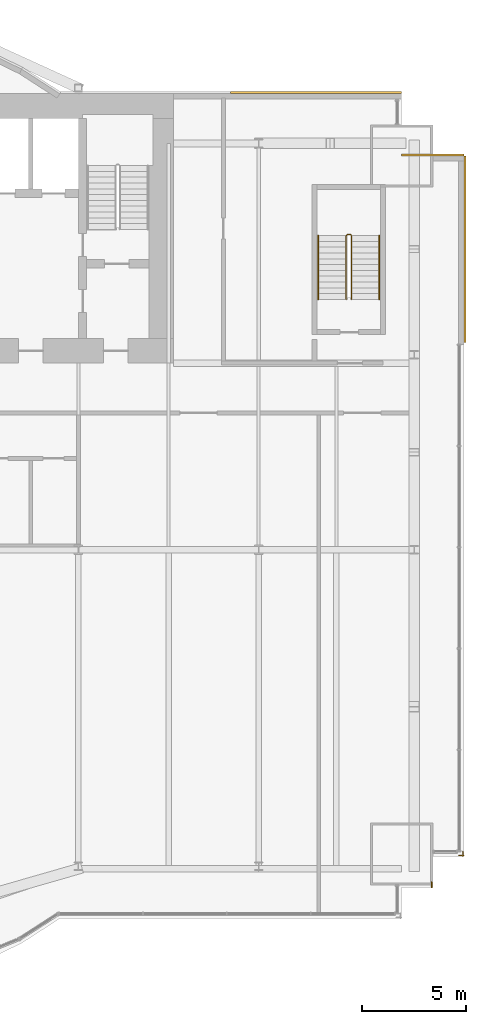
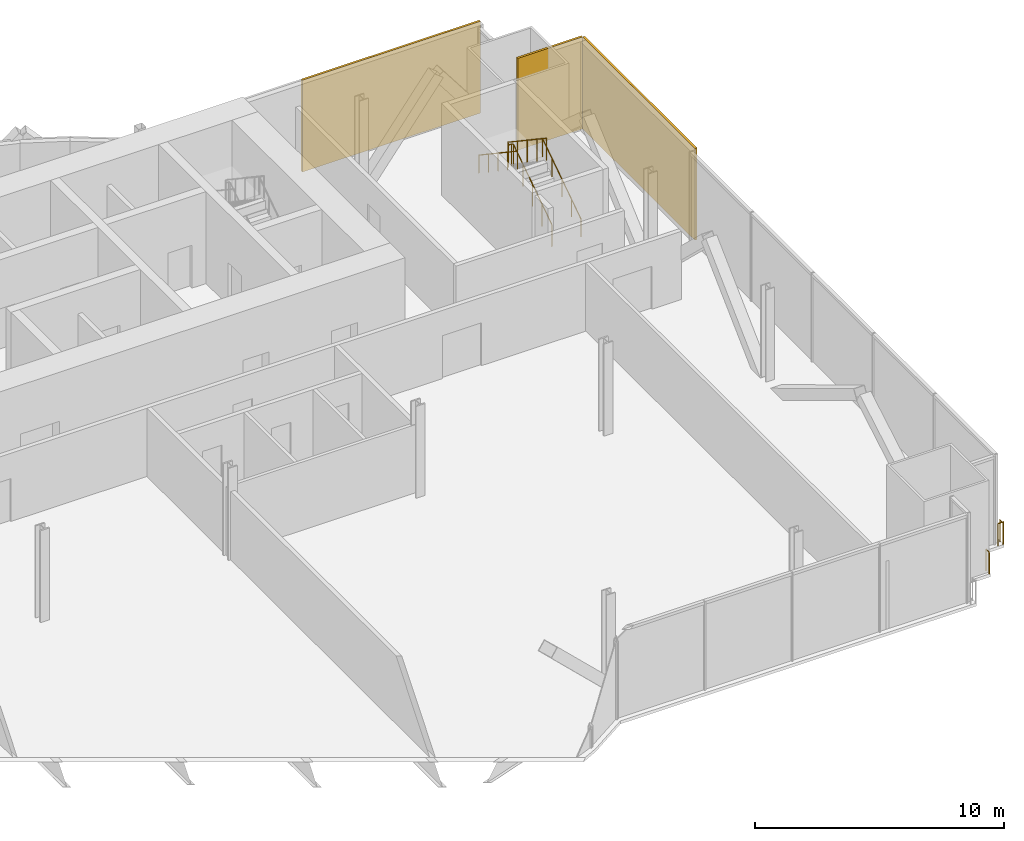
# One storey, part 21 of 21: 5 railings, 3 coverings.
"""IFC4 building model written with IfcOpenShell, lengths in metres."""

from ifc_helpers import new_model, si_unit, direction, frame, origin, origin_2d, place, context, subcontext, project, spatial, rectangle, circle, extrude, material, layer, layer_set, type_object, element, save


model = new_model("IFC4")

# Units and contexts
model_context = context("Model", 3, precision=1e-05, world=origin(), true_north=direction((0.0, 1.0)))
body_context = subcontext(model_context, "Body", "Model", "MODEL_VIEW")
ifc_project = project(units=[si_unit("LENGTHUNIT", "METRE"), si_unit("AREAUNIT", "SQUARE_METRE"), si_unit("VOLUMEUNIT", "CUBIC_METRE"), si_unit("PLANEANGLEUNIT", "RADIAN"), si_unit("MASSUNIT", "GRAM", prefix="KILO")], contexts=[model_context])

# Site, building, storey
site_placement = place(None, origin())
site = spatial("IfcSite", under=ifc_project, at=site_placement, CompositionType="ELEMENT")
building_placement = place(site_placement, origin())
building = spatial("IfcBuilding", under=site, at=building_placement, Name="Bicima Exchange Tower", CompositionType="ELEMENT")
storey_placement = place(building_placement, frame((0.0, 0.0, 75.5)))
storey = spatial("IfcBuildingStorey", under=building, at=storey_placement, Name="L15", CompositionType="ELEMENT", Elevation=75.5)

# Coverings
ifc_material_1 = material(Name="Bronze metal cladding")
ifc_layer_1 = layer(ifc_material_1, 0.004)
ifc_material_2 = material(Name="Ventilated cavity")
ifc_layer_2 = layer(ifc_material_2, 0.06)
ifc_material_3 = material(Name="Galvanised steel rail and mineral wool", Category="steel")
ifc_layer_3 = layer(ifc_material_3, 0.036)
ifc_layer_set = layer_set([ifc_layer_1, ifc_layer_2, ifc_layer_3], Name="Ventilated cavity")
covering_type = type_object("IfcCoveringType", Name="Bronze metal cladding panel 100", PredefinedType="CLADDING", material=ifc_layer_set)
covering_1_placement = place(storey_placement, frame((28.875, 0.050048828125, -0.14990234375), z_axis=(0.0, 0.0, 1.0), x_axis=(-1.0, 0.0, 0.0)))
element("IfcCovering", 1, at=covering_1_placement, inside=storey, type_object=covering_type, Name="Bronze cladding L15 1.1", PredefinedType="CLADDING", context=body_context, shape_type="SweptSolid", body=[
    extrude(rectangle(XDim=8.25, YDim=0.10009765625, at=origin_2d()), origin(), (0.0, 0.0, 1.0), 4.5),
])
covering_2_placement = place(storey_placement, frame((36.050048828125, -7.5, -0.14990234375), z_axis=(0.0, 0.0, 1.0), x_axis=(0.0, 1.0, 0.0)))
element("IfcCovering", 2, at=covering_2_placement, inside=storey, type_object=covering_type, Name="Bronze cladding L15 50.1", PredefinedType="CLADDING", context=body_context, shape_type="SweptSolid", body=[
    extrude(rectangle(XDim=9.0, YDim=0.10009765625, at=origin_2d()), origin(), (0.0, 0.0, 1.0), 4.5),
])
covering_3_placement = place(storey_placement, frame((34.5, -2.949951171875, -0.14990234375), z_axis=(0.0, 0.0, 1.0), x_axis=(-1.0, 0.0, 0.0)))
element("IfcCovering", 3, at=covering_3_placement, inside=storey, type_object=covering_type, Name="Bronze cladding L15 51.1", PredefinedType="CLADDING", context=body_context, shape_type="SweptSolid", body=[
    extrude(rectangle(XDim=3.0, YDim=0.10009765625, at=origin_2d()), origin(), (0.0, 0.0, 1.0), 4.5),
])

# Railings
ifc_material_4 = material(Name="Stainless steel and bonded safety glass", Category="steel")
railing_type_1 = type_object("IfcRailingType", Name="Edge guard 1100", PredefinedType="GUARDRAIL", material=ifc_material_4)
railing_1_placement = place(storey_placement, frame((35.949951171875, -36.554931640625, 0.0)))
element("IfcRailing", 4, at=railing_1_placement, inside=storey, type_object=railing_type_1, Name="Edge guard L15 70", PredefinedType="GUARDRAIL", context=body_context, shape_type="SweptSolid", body=[
    extrude(circle(Radius=0.02392578125, at=origin_2d()), frame((0.0, 0.0, 1.076171875), z_axis=(0.0, -1.0, 0.0), x_axis=(1.0, 0.0, 0.0)), (0.0, 0.0, 1.0), 0.2490234375),
    extrude(circle(Radius=0.02392578125, at=origin_2d()), frame((0.0, -0.2490234375, 1.076171875), z_axis=(0.707106781187, 0.707106781187, 0.0), x_axis=(-0.707106781187, 0.707106781187, 0.0)), (0.0, 0.0, 1.0), 0.07080078125),
    extrude(circle(Radius=0.02392578125, at=origin_2d()), frame((0.050048828125, -0.198974609375, 1.076171875), z_axis=(-1.0, 0.0, 0.0), x_axis=(0.0, -1.0, 0.0)), (0.0, 0.0, 1.0), 0.25),
    extrude(circle(Radius=0.02099609375, at=origin_2d()), origin(), (0.0, 0.0, 1.0), 1.052001953125),
    extrude(circle(Radius=0.02099609375, at=origin_2d()), frame((0.0, -0.2490234375, 0.0)), (0.0, 0.0, 1.0), 1.052001953125),
    extrude(circle(Radius=0.02099609375, at=origin_2d()), frame((0.050048828125, -0.198974609375, 0.0)), (0.0, 0.0, 1.0), 1.052001953125),
    extrude(circle(Radius=0.02099609375, at=origin_2d()), frame((-0.199951171875, -0.198974609375, 0.0)), (0.0, 0.0, 1.0), 1.052001953125),
])
railing_2_placement = place(storey_placement, frame((34.449951171875, -38.053955078125, 0.0)))
element("IfcRailing", 5, at=railing_2_placement, inside=storey, type_object=railing_type_1, Name="Edge guard L15 71", PredefinedType="GUARDRAIL", context=body_context, shape_type="SweptSolid", body=[
    extrude(circle(Radius=0.02392578125, at=origin_2d()), frame((0.0, 0.0, 1.076171875), z_axis=(0.0, -1.0, 0.0), x_axis=(1.0, 0.0, 0.0)), (0.0, 0.0, 1.0), 0.25),
    extrude(circle(Radius=0.02099609375, at=origin_2d()), origin(), (0.0, 0.0, 1.0), 1.052001953125),
    extrude(circle(Radius=0.02099609375, at=origin_2d()), frame((0.0, -0.25, 0.0)), (0.0, 0.0, 1.0), 1.052001953125),
])
ifc_material_5 = material(Name="Stainless steel", Category="steel")
railing_type_2 = type_object("IfcRailingType", Name="Stair guard 1100", PredefinedType="GUARDRAIL", material=ifc_material_5)
railing_3_placement = place(storey_placement, frame((30.574951171875, -9.925048828125, 0.1875)))
element("IfcRailing", 6, at=railing_3_placement, inside=storey, type_object=railing_type_2, Name="L15 ST-EE stair guard 1", PredefinedType="GUARDRAIL", context=body_context, shape_type="SweptSolid", body=[
    extrude(circle(Radius=0.02392578125, at=origin_2d()), frame((0.0, 0.0, 1.076171875), z_axis=(0.0, 0.830913701846, 0.55640131208), x_axis=(-1.0, 0.0, 0.0)), (0.0, 0.0, 1.0), 3.706787109375),
    extrude(circle(Radius=0.02392578125, at=origin_2d()), frame((0.0, 3.080078125, 3.138671875), z_axis=(-0.707106781187, 0.707106781187, 0.0), x_axis=(-0.707106781187, -0.707106781187, 0.0)), (0.0, 0.0, 1.0), 0.07080078125),
    extrude(circle(Radius=0.02392578125, at=origin_2d()), frame((-0.050048828125, 3.130126953125, 3.138671875), z_axis=(-1.0, 0.0, 0.0), x_axis=(0.0, -1.0, 0.0)), (0.0, 0.0, 1.0), 0.14990234375),
    extrude(circle(Radius=0.02392578125, at=origin_2d()), frame((-0.199951171875, 3.130126953125, 3.138671875), z_axis=(-0.249726431254, -0.249726431254, 0.935560483917), x_axis=(0.707106781187, -0.707106781187, 0.0)), (0.0, 0.0, 1.0), 0.200439453125),
    extrude(circle(Radius=0.02392578125, at=origin_2d()), frame((-0.25, 3.080078125, 3.326171875), z_axis=(0.0, -0.830913701846, 0.55640131208), x_axis=(1.0, 0.0, 0.0)), (0.0, 0.0, 1.0), 3.706787109375),
    extrude(circle(Radius=0.02099609375, at=origin_2d()), origin(), (0.0, 0.0, 1.0), 1.052001953125),
    extrude(circle(Radius=0.02099609375, at=origin_2d()), frame((0.0, 0.77001953125, 0.515625)), (0.0, 0.0, 1.0), 1.052001953125),
    extrude(circle(Radius=0.02099609375, at=origin_2d()), frame((0.0, 1.5400390625, 1.03125)), (0.0, 0.0, 1.0), 1.052001953125),
    extrude(circle(Radius=0.02099609375, at=origin_2d()), frame((0.0, 2.31005859375, 1.546875)), (0.0, 0.0, 1.0), 1.052001953125),
    extrude(circle(Radius=0.02099609375, at=origin_2d()), frame((0.0, 3.080078125, 2.0625)), (0.0, 0.0, 1.0), 1.052001953125),
    extrude(circle(Radius=0.02099609375, at=origin_2d()), frame((-0.050048828125, 3.130126953125, 2.0625)), (0.0, 0.0, 1.0), 1.052001953125),
    extrude(circle(Radius=0.02099609375, at=origin_2d()), frame((-0.199951171875, 3.130126953125, 2.0625)), (0.0, 0.0, 1.0), 1.052001953125),
    extrude(circle(Radius=0.02099609375, at=origin_2d()), frame((-0.25, 3.080078125, 2.25)), (0.0, 0.0, 1.0), 1.052001953125),
    extrude(circle(Radius=0.02099609375, at=origin_2d()), frame((-0.25, 2.31005859375, 2.765625)), (0.0, 0.0, 1.0), 1.052001953125),
    extrude(circle(Radius=0.02099609375, at=origin_2d()), frame((-0.25, 1.5400390625, 3.28125)), (0.0, 0.0, 1.0), 1.052001953125),
    extrude(circle(Radius=0.02099609375, at=origin_2d()), frame((-0.25, 0.77001953125, 3.796875)), (0.0, 0.0, 1.0), 1.052001953125),
    extrude(circle(Radius=0.02099609375, at=origin_2d()), frame((-0.25, 0.0, 4.3125)), (0.0, 0.0, 1.0), 1.052001953125),
])
railing_type_3 = type_object("IfcRailingType", Name="Stair handrail 900", PredefinedType="HANDRAIL", material=ifc_material_5)
railing_4_placement = place(storey_placement, frame((31.925048828125, -9.925048828125, 0.1875)))
element("IfcRailing", 7, at=railing_4_placement, inside=storey, type_object=railing_type_3, Name="L15 ST-EE stair handrail 1", PredefinedType="HANDRAIL", context=body_context, shape_type="SweptSolid", body=[
    extrude(circle(Radius=0.02392578125, at=origin_2d()), frame((0.0, 0.0, 0.8759765625), z_axis=(0.0, 0.830913701846, 0.55640131208), x_axis=(-1.0, 0.0, 0.0)), (0.0, 0.0, 1.0), 3.706787109375),
    extrude(circle(Radius=0.02099609375, at=origin_2d()), origin(), (0.0, 0.0, 1.0), 0.851806640625),
    extrude(circle(Radius=0.02099609375, at=origin_2d()), frame((0.0, 0.77001953125, 0.515625)), (0.0, 0.0, 1.0), 0.851806640625),
    extrude(circle(Radius=0.02099609375, at=origin_2d()), frame((0.0, 1.5400390625, 1.03125)), (0.0, 0.0, 1.0), 0.851806640625),
    extrude(circle(Radius=0.02099609375, at=origin_2d()), frame((0.0, 2.31005859375, 1.546875)), (0.0, 0.0, 1.0), 0.851806640625),
    extrude(circle(Radius=0.02099609375, at=origin_2d()), frame((0.0, 3.080078125, 2.0625)), (0.0, 0.0, 1.0), 0.851806640625),
])
railing_5_placement = place(storey_placement, frame((28.97509765625, -6.844970703125, 2.47900390625)))
element("IfcRailing", 8, at=railing_5_placement, inside=storey, type_object=railing_type_3, Name="L15 ST-EE stair handrail 2", PredefinedType="HANDRAIL", context=body_context, shape_type="SweptSolid", body=[
    extrude(circle(Radius=0.02392578125, at=origin_2d()), frame((0.0, 0.0, 0.8759765625), z_axis=(0.0, -0.830913701846, 0.55640131208), x_axis=(1.0, 0.0, 0.0)), (0.0, 0.0, 1.0), 3.706787109375),
    extrude(circle(Radius=0.02099609375, at=origin_2d()), origin(), (0.0, 0.0, 1.0), 0.851806640625),
    extrude(circle(Radius=0.02099609375, at=origin_2d()), frame((0.0, -0.77001953125, 0.515625)), (0.0, 0.0, 1.0), 0.851806640625),
    extrude(circle(Radius=0.02099609375, at=origin_2d()), frame((0.0, -1.5400390625, 1.03125)), (0.0, 0.0, 1.0), 0.851806640625),
    extrude(circle(Radius=0.02099609375, at=origin_2d()), frame((0.0, -2.31005859375, 1.546875)), (0.0, 0.0, 1.0), 0.851806640625),
    extrude(circle(Radius=0.02099609375, at=origin_2d()), frame((0.0, -3.080078125, 2.0625)), (0.0, 0.0, 1.0), 0.851806640625),
])

save(model, "model.ifc")
